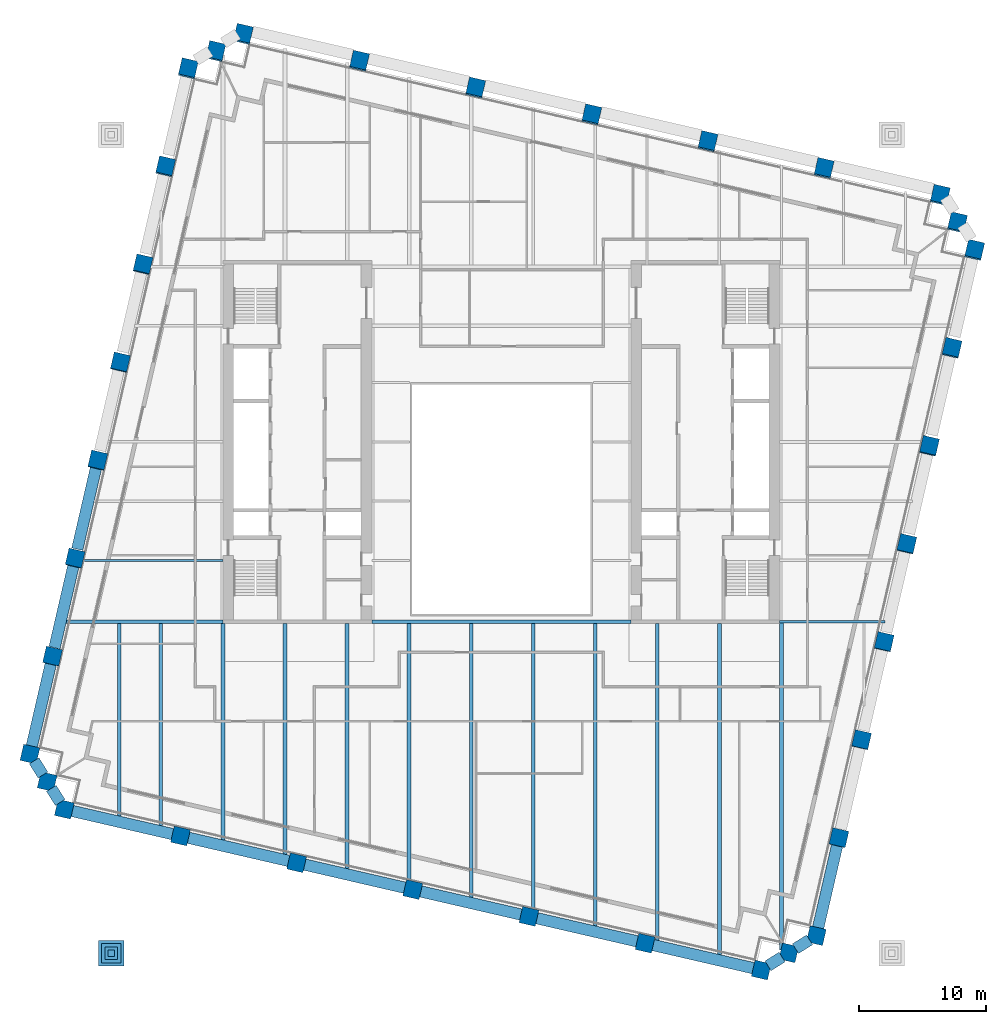
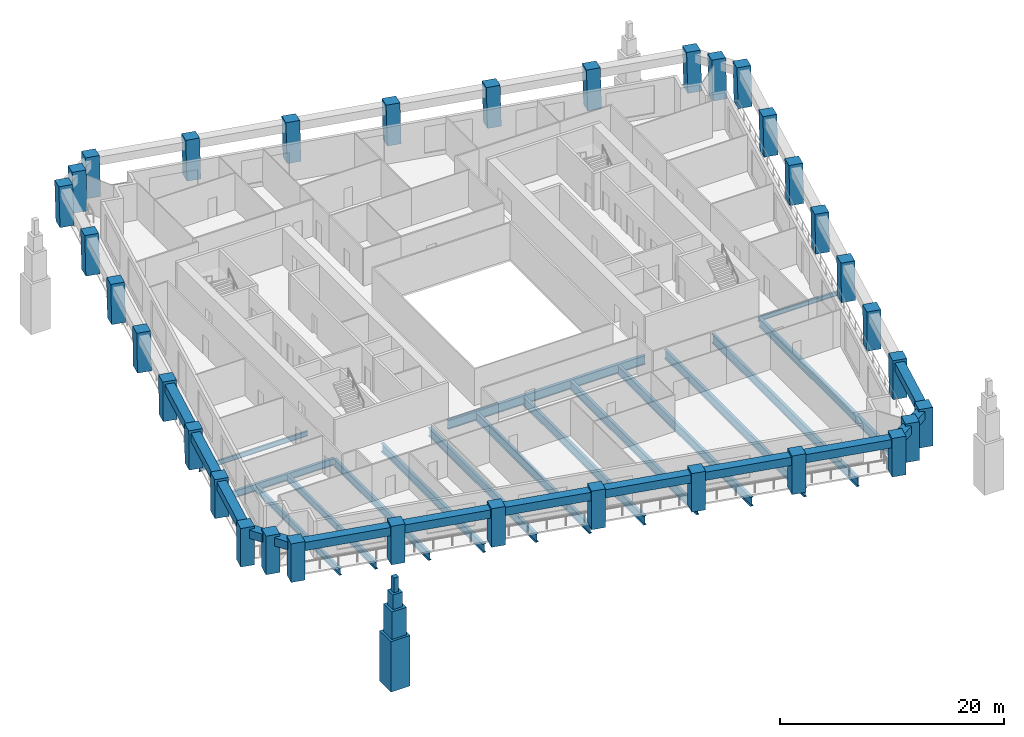
# One storey, part 1 of 10: 34 columns, 30 beams, 4 members.
"""IFC4 building model written with IfcOpenShell, lengths in metres."""

from ifc_helpers import new_model, si_unit, direction, frame, origin, origin_2d, place, context, subcontext, project, spatial, rectangle, i_section, extrude, material, material_profile, profile_set, type_object, element, save


model = new_model("IFC4")

# Units and contexts
model_context = context("Model", 3, precision=1e-05, world=origin(), true_north=direction((0.0, 1.0)))
body_context = subcontext(model_context, "Body", "Model", "MODEL_VIEW")
ifc_project = project(units=[si_unit("LENGTHUNIT", "METRE"), si_unit("AREAUNIT", "SQUARE_METRE"), si_unit("VOLUMEUNIT", "CUBIC_METRE"), si_unit("PLANEANGLEUNIT", "RADIAN"), si_unit("MASSUNIT", "GRAM", prefix="KILO")], contexts=[model_context])

# Site, building, storey
site_placement = place(None, origin())
site = spatial("IfcSite", under=ifc_project, at=site_placement, CompositionType="ELEMENT")
building_placement = place(site_placement, origin())
building = spatial("IfcBuilding", under=site, at=building_placement, Name="Ogive Exchange Tower", CompositionType="ELEMENT")
storey_placement = place(building_placement, frame((0.0, 0.0, 105.60009765625)))
storey = spatial("IfcBuildingStorey", under=building, at=storey_placement, Name="L22", CompositionType="ELEMENT", Elevation=105.60009765625)

# Columns
ifc_material_1 = material(Name="Precast concrete C70/85 (limestone faced)", Category="masonry")
ifc_material_profile_1 = material_profile(ifc_material_1, rectangle(XDim=1.300048828125, YDim=1.300048828125, at=origin_2d()), Name="1300 x 1300")
ifc_profile_set_1 = profile_set([ifc_material_profile_1], Name="Precast concrete C70/85 (limestone faced)")
column_type = type_object("IfcColumnType", Name="Precast exoskeleton leg 1300 x 1300 C70/85", PredefinedType="COLUMN", material=ifc_profile_set_1)
for number, where, z_axis, x_axis, name in (
    (1, (-34.281982421875, -17.298095703125, 0.0), (0.0, 0.0, 1.0), (0.974370064785, -0.224951054344, 0.0), "Exoskeleton leg 1"),
    (2, (-25.171630859375, -19.401611328125, 0.0), (0.0, 0.0, 1.0), (0.974370064785, -0.224951054344, 0.0), "Exoskeleton leg 2"),
    (3, (-16.061279296875, -21.504638671875, 0.0), (0.0, 0.0, 1.0), (0.974370064785, -0.224951054344, 0.0), "Exoskeleton leg 3"),
    (4, (-6.950927734375, -23.60791015625, 0.0), (0.0, 0.0, 1.0), (0.974370064785, -0.224951054344, 0.0), "Exoskeleton leg 4"),
    (5, (2.159423828125, -25.711181640625, 0.0), (0.0, 0.0, 1.0), (0.974370064785, -0.224951054344, 0.0), "Exoskeleton leg 5"),
    (6, (11.269775390625, -27.814697265625, 0.0), (0.0, 0.0, 1.0), (0.974370064785, -0.224951054344, 0.0), "Exoskeleton leg 6"),
    (7, (20.380126953125, -29.91796875, 0.0), (0.0, 0.0, 1.0), (0.974370064785, -0.224951054344, 0.0), "Exoskeleton leg 7"),
    (8, (24.697509765625, -27.219970703125, 0.0), (0.0, 0.0, 1.0), (0.974370064785, -0.224951054344, 0.0), "Exoskeleton leg 8"),
):
    element("IfcColumn", number, at=place(storey_placement, frame(where, z_axis=z_axis, x_axis=x_axis)), inside=storey, type_object=column_type, Name=name, PredefinedType="COLUMN", context=body_context, shape_type="SweptSolid", body=[
        extrude(rectangle(XDim=1.300048828125, YDim=1.300048828125, at=origin_2d()), origin(), (0.0, 0.0, 1.0), 4.199951171875),
    ])
column_1_placement = place(storey_placement, frame((26.4697265625, -19.5439453125, 0.0), z_axis=(0.002964348167, 0.012671135303, 0.9999153239), x_axis=(-0.973709261374, 0.227794368487, 0.0)))
element("IfcColumn", 9, at=column_1_placement, inside=storey, type_object=column_type, Name="Exoskeleton leg 9", PredefinedType="COLUMN", context=body_context, shape_type="SweptSolid", body=[
    extrude(rectangle(XDim=1.300048828125, YDim=1.300048828125, at=origin_2d()), origin(), (0.0, 0.0, 1.0), 4.2001953125),
])
column_2_placement = place(storey_placement, frame((28.241943359375, -11.867919921875, 0.0), z_axis=(0.005869091843, 0.025277771797, 0.999663237302), x_axis=(-0.974088391429, 0.226167649504, 0.0)))
element("IfcColumn", 10, at=column_2_placement, inside=storey, type_object=column_type, Name="Exoskeleton leg 10", PredefinedType="COLUMN", context=body_context, shape_type="SweptSolid", body=[
    extrude(rectangle(XDim=1.300048828125, YDim=1.300048828125, at=origin_2d()), origin(), (0.0, 0.0, 1.0), 4.201416015625),
])
column_3_placement = place(storey_placement, frame((30.01416015625, -4.19189453125, 0.0), z_axis=(0.00871280379, 0.037929739166, 0.999242424008), x_axis=(-0.974617095667, 0.223878352757, 0.0)))
element("IfcColumn", 11, at=column_3_placement, inside=storey, type_object=column_type, Name="Exoskeleton leg 11", PredefinedType="COLUMN", context=body_context, shape_type="SweptSolid", body=[
    extrude(rectangle(XDim=1.300048828125, YDim=1.300048828125, at=origin_2d()), origin(), (0.0, 0.0, 1.0), 4.203125),
])
column_4_placement = place(storey_placement, frame((31.7861328125, 3.48388671875, 0.0), z_axis=(0.011668267153, 0.050562490995, 0.998652735462), x_axis=(-0.974391195695, 0.224859506699, 0.0)))
element("IfcColumn", 12, at=column_4_placement, inside=storey, type_object=column_type, Name="Exoskeleton leg 12", PredefinedType="COLUMN", context=body_context, shape_type="SweptSolid", body=[
    extrude(rectangle(XDim=1.300048828125, YDim=1.300048828125, at=origin_2d()), origin(), (0.0, 0.0, 1.0), 4.20556640625),
])
column_5_placement = place(storey_placement, frame((33.558349609375, 11.16015625, 0.0), z_axis=(0.014559841898, 0.063111984005, 0.997900239743), x_axis=(-0.97440628778, 0.224794097641, 0.0)))
element("IfcColumn", 13, at=column_5_placement, inside=storey, type_object=column_type, Name="Exoskeleton leg 13", PredefinedType="COLUMN", context=body_context, shape_type="SweptSolid", body=[
    extrude(rectangle(XDim=1.300048828125, YDim=1.300048828125, at=origin_2d()), origin(), (0.0, 0.0, 1.0), 4.208740234375),
])
column_6_placement = place(storey_placement, frame((35.33056640625, 18.836181640625, 0.0), z_axis=(0.01750210236, 0.075629945629, 0.996982340735), x_axis=(-0.974252605085, 0.225459223552, 0.0)))
element("IfcColumn", 14, at=column_6_placement, inside=storey, type_object=column_type, Name="Exoskeleton leg 14", PredefinedType="COLUMN", context=body_context, shape_type="SweptSolid", body=[
    extrude(rectangle(XDim=1.300048828125, YDim=1.300048828125, at=origin_2d()), origin(), (0.0, 0.0, 1.0), 4.212646484375),
])
for number, where, z_axis, x_axis, name in (
    (15, (37.102783203125, 26.51220703125, 0.0), (0.020377597275, 0.088167842757, 0.995897175934), (-0.97431566651, 0.225186549318, 0.0), "Exoskeleton leg 15"),
    (16, (34.40478515625, 30.82958984375, 0.0), (0.020377493232, 0.0882252832, 0.995892091129), (-0.97434807649, 0.225046274885, 0.0), "Exoskeleton leg 16"),
    (17, (25.29443359375, 32.932861328125, 0.0), (0.020377493232, 0.0882252832, 0.995892091129), (-0.97434807649, 0.225046274885, 0.0), "Exoskeleton leg 17"),
    (18, (16.18408203125, 35.0361328125, 0.0), (0.020377493232, 0.0882252832, 0.995892091129), (-0.97434807649, 0.225046274885, 0.0), "Exoskeleton leg 18"),
    (19, (7.07373046875, 37.139404296875, 0.0), (0.020377493232, 0.0882252832, 0.995892091129), (-0.97434807649, 0.225046274885, 0.0), "Exoskeleton leg 19"),
    (20, (-2.03662109375, 39.242919921875, 0.0), (0.020377597275, 0.088167842757, 0.995897175934), (-0.97431566651, 0.225186549318, 0.0), "Exoskeleton leg 20"),
    (21, (-11.14697265625, 41.34619140625, 0.0), (0.020377597275, 0.088167842757, 0.995897175934), (-0.97431566651, 0.225186549318, 0.0), "Exoskeleton leg 21"),
    (22, (-20.25732421875, 43.449462890625, 0.0), (0.020377597275, 0.088167842757, 0.995897175934), (-0.97431566651, 0.225186549318, 0.0), "Exoskeleton leg 22"),
    (23, (-24.574951171875, 40.75146484375, 0.0), (0.020377493232, 0.0882252832, 0.995892091129), (-0.97434807649, 0.225046274885, 0.0), "Exoskeleton leg 23"),
):
    element("IfcColumn", number, at=place(storey_placement, frame(where, z_axis=z_axis, x_axis=x_axis)), inside=storey, type_object=column_type, Name=name, PredefinedType="COLUMN", context=body_context, shape_type="SweptSolid", body=[
        extrude(rectangle(XDim=1.300048828125, YDim=1.300048828125, at=origin_2d()), origin(), (0.0, 0.0, 1.0), 4.21728515625),
    ])
column_7_placement = place(storey_placement, frame((-26.34716796875, 33.075439453125, 0.0), z_axis=(0.017502025619, 0.075687567741, 0.996977969259), x_axis=(-0.974290512438, 0.225295355862, 0.0)))
element("IfcColumn", 24, at=column_7_placement, inside=storey, type_object=column_type, Name="Exoskeleton leg 24", PredefinedType="COLUMN", context=body_context, shape_type="SweptSolid", body=[
    extrude(rectangle(XDim=1.300048828125, YDim=1.300048828125, at=origin_2d()), origin(), (0.0, 0.0, 1.0), 4.212646484375),
])
column_8_placement = place(storey_placement, frame((-28.119140625, 25.3994140625, 0.0), z_axis=(0.014559788571, 0.063169759976, 0.997896584813), x_axis=(-0.97445148511, 0.224598092528, 0.0)))
element("IfcColumn", 25, at=column_8_placement, inside=storey, type_object=column_type, Name="Exoskeleton leg 25", PredefinedType="COLUMN", context=body_context, shape_type="SweptSolid", body=[
    extrude(rectangle(XDim=1.300048828125, YDim=1.300048828125, at=origin_2d()), origin(), (0.0, 0.0, 1.0), 4.208740234375),
])
column_9_placement = place(storey_placement, frame((-29.891357421875, 17.723388671875, 0.0), z_axis=(0.011668267153, 0.050562490995, 0.998652735462), x_axis=(-0.974391195695, 0.224859506699, 0.0)))
element("IfcColumn", 26, at=column_9_placement, inside=storey, type_object=column_type, Name="Exoskeleton leg 26", PredefinedType="COLUMN", context=body_context, shape_type="SweptSolid", body=[
    extrude(rectangle(XDim=1.300048828125, YDim=1.300048828125, at=origin_2d()), origin(), (0.0, 0.0, 1.0), 4.20556640625),
])
column_10_placement = place(storey_placement, frame((-31.66357421875, 10.04736328125, 0.0), z_axis=(0.008770884695, 0.037929719907, 0.99924191662), x_axis=(-0.974290512438, 0.225295355862, 0.0)))
element("IfcColumn", 27, at=column_10_placement, inside=storey, type_object=column_type, Name="Exoskeleton leg 27", PredefinedType="COLUMN", context=body_context, shape_type="SweptSolid", body=[
    extrude(rectangle(XDim=1.300048828125, YDim=1.300048828125, at=origin_2d()), origin(), (0.0, 0.0, 1.0), 4.203125),
])
column_11_placement = place(storey_placement, frame((-33.435791015625, 2.371337890625, 0.0), z_axis=(0.005869083212, 0.025335844359, 0.999661767226), x_axis=(-0.974202561131, 0.225675363932, 0.0)))
element("IfcColumn", 28, at=column_11_placement, inside=storey, type_object=column_type, Name="Exoskeleton leg 28", PredefinedType="COLUMN", context=body_context, shape_type="SweptSolid", body=[
    extrude(rectangle(XDim=1.300048828125, YDim=1.300048828125, at=origin_2d()), origin(), (0.0, 0.0, 1.0), 4.201416015625),
])
column_12_placement = place(storey_placement, frame((-35.207763671875, -5.3046875, 0.0), z_axis=(0.002906224189, 0.012671137464, 0.999915494498), x_axis=(-0.974691740237, 0.22355315143, 0.0)))
element("IfcColumn", 29, at=column_12_placement, inside=storey, type_object=column_type, Name="Exoskeleton leg 29", PredefinedType="COLUMN", context=body_context, shape_type="SweptSolid", body=[
    extrude(rectangle(XDim=1.300048828125, YDim=1.300048828125, at=origin_2d()), origin(), (0.0, 0.0, 1.0), 4.2001953125),
])
for number, where, z_axis, x_axis, name in (
    (30, (-36.97998046875, -12.980712890625, 0.0), (0.0, 0.0, 1.0), (0.974370064785, -0.224951054344, 0.0), "Exoskeleton leg 30"),
    (31, (22.538818359375, -28.569091796875, 0.0), (0.0, 0.0, 1.0), (0.974370064785, -0.224951054344, 0.0), "Exoskeleton leg 31"),
):
    element("IfcColumn", number, at=place(storey_placement, frame(where, z_axis=z_axis, x_axis=x_axis)), inside=storey, type_object=column_type, Name=name, PredefinedType="COLUMN", context=body_context, shape_type="SweptSolid", body=[
        extrude(rectangle(XDim=1.300048828125, YDim=1.300048828125, at=origin_2d()), origin(), (0.0, 0.0, 1.0), 4.199951171875),
    ])
for number, where, z_axis, x_axis, name in (
    (32, (35.753662109375, 28.6708984375, 0.0), (0.020377493232, 0.0882252832, 0.995892091129), (-0.97434807649, 0.225046274885, 0.0), "Exoskeleton leg 32"),
    (33, (-22.416259765625, 42.100341796875, 0.0), (0.020377493232, 0.0882252832, 0.995892091129), (-0.97434807649, 0.225046274885, 0.0), "Exoskeleton leg 33"),
):
    element("IfcColumn", number, at=place(storey_placement, frame(where, z_axis=z_axis, x_axis=x_axis)), inside=storey, type_object=column_type, Name=name, PredefinedType="COLUMN", context=body_context, shape_type="SweptSolid", body=[
        extrude(rectangle(XDim=1.300048828125, YDim=1.300048828125, at=origin_2d()), origin(), (0.0, 0.0, 1.0), 4.21728515625),
    ])
column_13_placement = place(storey_placement, frame((-35.631103515625, -15.139404296875, 0.0), z_axis=(0.0, 0.0, 1.0), x_axis=(0.974370064785, -0.224951054344, 0.0)))
element("IfcColumn", 34, at=column_13_placement, inside=storey, type_object=column_type, Name="Exoskeleton leg 34", PredefinedType="COLUMN", context=body_context, shape_type="SweptSolid", body=[
    extrude(rectangle(XDim=1.300048828125, YDim=1.300048828125, at=origin_2d()), origin(), (0.0, 0.0, 1.0), 4.199951171875),
])

# Beams
ifc_material_2 = material(Name="Steel ASTM A992 Gr50", Category="steel")
ifc_material_profile_2 = material_profile(ifc_material_2, i_section(OverallWidth=0.300048828125, OverallDepth=0.969970703125, WebThickness=0.01611328125, FlangeThickness=0.02099609375, at=origin_2d()), Name="W1000x222")
ifc_profile_set_2 = profile_set([ifc_material_profile_2], Name="Steel ASTM A992 Gr50")
beam_type_1 = type_object("IfcBeamType", Name="Floor beam W1000x222", PredefinedType="JOIST", material=ifc_profile_set_2)
beam_1_placement = place(storey_placement, frame((-7.239013671875, -23.07958984375, -0.68505859375), z_axis=(0.0, 1.0, 0.0), x_axis=(-1.0, 0.0, 0.0)))
element("IfcBeam", 35, at=beam_1_placement, inside=storey, type_object=beam_type_1, Name="Floor beam", PredefinedType="JOIST", context=body_context, shape_type="SweptSolid", body=[
    extrude(i_section(OverallWidth=0.300048828125, OverallDepth=0.969970703125, WebThickness=0.01611328125, FlangeThickness=0.02099609375, at=origin_2d()), origin(), (0.0, 0.0, 1.0), 20.33447265625),
])
ifc_material_profile_3 = material_profile(ifc_material_2, i_section(OverallWidth=0.300048828125, OverallDepth=0.97998046875, WebThickness=0.0166015625, FlangeThickness=0.026123046875, at=origin_2d()), Name="W1000x249")
ifc_profile_set_3 = profile_set([ifc_material_profile_3], Name="Steel ASTM A992 Gr50")
beam_type_2 = type_object("IfcBeamType", Name="Floor beam W1000x249", PredefinedType="JOIST", material=ifc_profile_set_3)
beam_2_placement = place(storey_placement, frame((-2.3720703125, -24.353271484375, -0.690185546875), z_axis=(0.0, 1.0, 0.0), x_axis=(-1.0, 0.0, 0.0)))
element("IfcBeam", 36, at=beam_2_placement, inside=storey, type_object=beam_type_2, Name="Floor beam", PredefinedType="JOIST", context=body_context, shape_type="SweptSolid", body=[
    extrude(i_section(OverallWidth=0.300048828125, OverallDepth=0.97998046875, WebThickness=0.0166015625, FlangeThickness=0.026123046875, at=origin_2d()), origin(), (0.0, 0.0, 1.0), 21.608154296875),
])
beam_3_placement = place(storey_placement, frame((2.494873046875, -25.326904296875, -0.690185546875), z_axis=(0.0, 1.0, 0.0), x_axis=(-1.0, 0.0, 0.0)))
element("IfcBeam", 37, at=beam_3_placement, inside=storey, type_object=beam_type_2, Name="Floor beam", PredefinedType="JOIST", context=body_context, shape_type="SweptSolid", body=[
    extrude(i_section(OverallWidth=0.300048828125, OverallDepth=0.97998046875, WebThickness=0.0166015625, FlangeThickness=0.026123046875, at=origin_2d()), origin(), (0.0, 0.0, 1.0), 22.581787109375),
])
beam_4_placement = place(storey_placement, frame((7.36181640625, -26.6005859375, -0.690185546875), z_axis=(0.0, 1.0, 0.0), x_axis=(-1.0, 0.0, 0.0)))
element("IfcBeam", 38, at=beam_4_placement, inside=storey, type_object=beam_type_2, Name="Floor beam", PredefinedType="JOIST", context=body_context, shape_type="SweptSolid", body=[
    extrude(i_section(OverallWidth=0.300048828125, OverallDepth=0.97998046875, WebThickness=0.0166015625, FlangeThickness=0.026123046875, at=origin_2d()), origin(), (0.0, 0.0, 1.0), 23.85546875),
])
beam_5_placement = place(storey_placement, frame((12.228515625, -27.72412109375, -0.690185546875), z_axis=(0.0, 1.0, 0.0), x_axis=(-1.0, 0.0, 0.0)))
element("IfcBeam", 39, at=beam_5_placement, inside=storey, type_object=beam_type_2, Name="Floor beam", PredefinedType="JOIST", context=body_context, shape_type="SweptSolid", body=[
    extrude(i_section(OverallWidth=0.300048828125, OverallDepth=0.97998046875, WebThickness=0.0166015625, FlangeThickness=0.026123046875, at=origin_2d()), origin(), (0.0, 0.0, 1.0), 24.97412109375),
])
beam_6_placement = place(storey_placement, frame((17.095458984375, -28.69775390625, -0.690185546875), z_axis=(0.0, 1.0, 0.0), x_axis=(-1.0, 0.0, 0.0)))
element("IfcBeam", 40, at=beam_6_placement, inside=storey, type_object=beam_type_2, Name="Floor beam", PredefinedType="JOIST", context=body_context, shape_type="SweptSolid", body=[
    extrude(i_section(OverallWidth=0.300048828125, OverallDepth=0.97998046875, WebThickness=0.0166015625, FlangeThickness=0.026123046875, at=origin_2d()), origin(), (0.0, 0.0, 1.0), 25.94775390625),
])
beam_7_placement = place(storey_placement, frame((21.96240234375, -28.326904296875, -0.690185546875), z_axis=(0.0, 1.0, 0.0), x_axis=(-1.0, 0.0, 0.0)))
element("IfcBeam", 41, at=beam_7_placement, inside=storey, type_object=beam_type_2, Name="Floor beam", PredefinedType="JOIST", context=body_context, shape_type="SweptSolid", body=[
    extrude(i_section(OverallWidth=0.300048828125, OverallDepth=0.97998046875, WebThickness=0.0166015625, FlangeThickness=0.026123046875, at=origin_2d()), origin(), (0.0, 0.0, 1.0), 25.635986328125),
])
ifc_material_profile_4 = material_profile(ifc_material_2, i_section(OverallWidth=0.1669921875, OverallDepth=0.535888671875, WebThickness=0.01025390625, FlangeThickness=0.0166015625, at=origin_2d()), Name="W530x85")
ifc_profile_set_4 = profile_set([ifc_material_profile_4], Name="Steel ASTM A992 Gr50")
beam_type_3 = type_object("IfcBeamType", Name="Floor beam W530x85", PredefinedType="JOIST", material=ifc_profile_set_4)
beam_8_placement = place(storey_placement, frame((-33.011474609375, 2.208740234375, -0.468017578125), z_axis=(1.0, 0.0, 0.0), x_axis=(0.0, 1.0, 0.0)))
element("IfcBeam", 42, at=beam_8_placement, inside=storey, type_object=beam_type_3, Name="Floor beam", PredefinedType="JOIST", context=body_context, shape_type="SweptSolid", body=[
    extrude(i_section(OverallWidth=0.1669921875, OverallDepth=0.535888671875, WebThickness=0.01025390625, FlangeThickness=0.0166015625, at=origin_2d()), origin(), (0.0, 0.0, 1.0), 11.181396484375),
])
ifc_material_profile_5 = material_profile(ifc_material_2, i_section(OverallWidth=0.26708984375, OverallDepth=0.75390625, WebThickness=0.01318359375, FlangeThickness=0.01708984375, at=origin_2d()), Name="W760x147")
ifc_profile_set_5 = profile_set([ifc_material_profile_5], Name="Steel ASTM A992 Gr50")
beam_type_4 = type_object("IfcBeamType", Name="Floor beam W760x147", PredefinedType="JOIST", material=ifc_profile_set_5)
beam_9_placement = place(storey_placement, frame((-29.973388671875, -17.8310546875, -0.5771484375), z_axis=(0.0, 1.0, 0.0), x_axis=(-1.0, 0.0, 0.0)))
element("IfcBeam", 43, at=beam_9_placement, inside=storey, type_object=beam_type_4, Name="Floor beam", PredefinedType="JOIST", context=body_context, shape_type="SweptSolid", body=[
    extrude(i_section(OverallWidth=0.26708984375, OverallDepth=0.75390625, WebThickness=0.01318359375, FlangeThickness=0.01708984375, at=origin_2d()), origin(), (0.0, 0.0, 1.0), 15.1025390625),
])
ifc_material_profile_6 = material_profile(ifc_material_2, i_section(OverallWidth=0.26708984375, OverallDepth=0.761962890625, WebThickness=0.014404296875, FlangeThickness=0.021484375, at=origin_2d()), Name="W760x173")
ifc_profile_set_6 = profile_set([ifc_material_profile_6], Name="Steel ASTM A992 Gr50")
beam_type_5 = type_object("IfcBeamType", Name="Floor beam W760x173", PredefinedType="JOIST", material=ifc_profile_set_6)
beam_10_placement = place(storey_placement, frame((-26.70654296875, -18.585205078125, -0.5810546875), z_axis=(0.0, 1.0, 0.0), x_axis=(-1.0, 0.0, 0.0)))
element("IfcBeam", 44, at=beam_10_placement, inside=storey, type_object=beam_type_5, Name="Floor beam", PredefinedType="JOIST", context=body_context, shape_type="SweptSolid", body=[
    extrude(i_section(OverallWidth=0.26708984375, OverallDepth=0.761962890625, WebThickness=0.014404296875, FlangeThickness=0.021484375, at=origin_2d()), origin(), (0.0, 0.0, 1.0), 15.856689453125),
])
ifc_material_profile_7 = material_profile(ifc_material_2, i_section(OverallWidth=0.2919921875, OverallDepth=0.8359375, WebThickness=0.013916015625, FlangeThickness=0.018798828125, at=origin_2d()), Name="W840x176")
ifc_profile_set_7 = profile_set([ifc_material_profile_7], Name="Steel ASTM A992 Gr50")
beam_type_6 = type_object("IfcBeamType", Name="Floor beam W840x176", PredefinedType="JOIST", material=ifc_profile_set_7)
beam_11_placement = place(storey_placement, frame((-21.839599609375, -19.708984375, -0.6181640625), z_axis=(0.0, 1.0, 0.0), x_axis=(-1.0, 0.0, 0.0)))
element("IfcBeam", 45, at=beam_11_placement, inside=storey, type_object=beam_type_6, Name="Floor beam", PredefinedType="JOIST", context=body_context, shape_type="SweptSolid", body=[
    extrude(i_section(OverallWidth=0.2919921875, OverallDepth=0.8359375, WebThickness=0.013916015625, FlangeThickness=0.018798828125, at=origin_2d()), origin(), (0.0, 0.0, 1.0), 16.98046875),
])
ifc_material_profile_8 = material_profile(ifc_material_2, i_section(OverallWidth=0.304931640625, OverallDepth=0.904052734375, WebThickness=0.01513671875, FlangeThickness=0.02001953125, at=origin_2d()), Name="W920x201")
ifc_profile_set_8 = profile_set([ifc_material_profile_8], Name="Steel ASTM A992 Gr50")
beam_type_7 = type_object("IfcBeamType", Name="Floor beam W920x201", PredefinedType="JOIST", material=ifc_profile_set_8)
beam_12_placement = place(storey_placement, frame((-16.97265625, -20.982421875, -0.652099609375), z_axis=(0.0, 1.0, 0.0), x_axis=(-1.0, 0.0, 0.0)))
element("IfcBeam", 46, at=beam_12_placement, inside=storey, type_object=beam_type_7, Name="Floor beam", PredefinedType="JOIST", context=body_context, shape_type="SweptSolid", body=[
    extrude(i_section(OverallWidth=0.304931640625, OverallDepth=0.904052734375, WebThickness=0.01513671875, FlangeThickness=0.02001953125, at=origin_2d()), origin(), (0.0, 0.0, 1.0), 18.232421875),
])
ifc_material_profile_9 = material_profile(ifc_material_2, i_section(OverallWidth=0.304931640625, OverallDepth=0.9189453125, WebThickness=0.017333984375, FlangeThickness=0.02783203125, at=origin_2d()), Name="W920x253")
ifc_profile_set_9 = profile_set([ifc_material_profile_9], Name="Steel ASTM A992 Gr50")
beam_type_8 = type_object("IfcBeamType", Name="Floor beam W920x253", PredefinedType="JOIST", material=ifc_profile_set_9)
beam_13_placement = place(storey_placement, frame((-12.10595703125, -21.9560546875, -0.65966796875), z_axis=(0.0, 1.0, 0.0), x_axis=(-1.0, 0.0, 0.0)))
element("IfcBeam", 47, at=beam_13_placement, inside=storey, type_object=beam_type_8, Name="Floor beam", PredefinedType="JOIST", context=body_context, shape_type="SweptSolid", body=[
    extrude(i_section(OverallWidth=0.304931640625, OverallDepth=0.9189453125, WebThickness=0.017333984375, FlangeThickness=0.02783203125, at=origin_2d()), origin(), (0.0, 0.0, 1.0), 19.2060546875),
])
ifc_material_profile_10 = material_profile(ifc_material_2, i_section(OverallWidth=0.300048828125, OverallDepth=0.97998046875, WebThickness=0.0166015625, FlangeThickness=0.026123046875, at=origin_2d()), Name="W1000x249")
ifc_profile_set_10 = profile_set([ifc_material_profile_10], Name="Steel ASTM A992 Gr50")
beam_type_9 = type_object("IfcBeamType", Name="Girder W1000x249", PredefinedType="BEAM", material=ifc_profile_set_10)
beam_14_placement = place(storey_placement, frame((-10.169921875, -2.594970703125, -0.690185546875), z_axis=(1.0, 0.0, 0.0), x_axis=(0.0, 1.0, 0.0)))
element("IfcBeam", 48, at=beam_14_placement, inside=storey, type_object=beam_type_9, Name="Header girder", PredefinedType="BEAM", context=body_context, shape_type="SweptSolid", body=[
    extrude(i_section(OverallWidth=0.300048828125, OverallDepth=0.97998046875, WebThickness=0.0166015625, FlangeThickness=0.026123046875, at=origin_2d()), origin(), (0.0, 0.0, 1.0), 20.33984375),
])
ifc_material_profile_11 = material_profile(ifc_material_2, i_section(OverallWidth=0.19189453125, OverallDepth=0.4619140625, WebThickness=0.010498046875, FlangeThickness=0.017578125, at=origin_2d()), Name="W460x89")
ifc_profile_set_11 = profile_set([ifc_material_profile_11], Name="Steel ASTM A992 Gr50")
beam_type_10 = type_object("IfcBeamType", Name="Girder W460x89", PredefinedType="BEAM", material=ifc_profile_set_11)
beam_15_placement = place(storey_placement, frame((21.830078125, -2.594970703125, -0.43115234375), z_axis=(1.0, 0.0, 0.0), x_axis=(0.0, 1.0, 0.0)))
element("IfcBeam", 49, at=beam_15_placement, inside=storey, type_object=beam_type_10, Name="Header girder", PredefinedType="BEAM", context=body_context, shape_type="SweptSolid", body=[
    extrude(i_section(OverallWidth=0.19189453125, OverallDepth=0.4619140625, WebThickness=0.010498046875, FlangeThickness=0.017578125, at=origin_2d()), origin(), (0.0, 0.0, 1.0), 8.24072265625),
])
ifc_material_profile_12 = material_profile(ifc_material_2, i_section(OverallWidth=0.26708984375, OverallDepth=0.75390625, WebThickness=0.01318359375, FlangeThickness=0.01708984375, at=origin_2d()), Name="W760x147")
ifc_profile_set_12 = profile_set([ifc_material_profile_12], Name="Steel ASTM A992 Gr50")
beam_type_11 = type_object("IfcBeamType", Name="Girder W760x147", PredefinedType="BEAM", material=ifc_profile_set_12)
beam_16_placement = place(storey_placement, frame((-34.2705078125, -2.594970703125, -0.5771484375), z_axis=(1.0, 0.0, 0.0), x_axis=(0.0, 1.0, 0.0)))
element("IfcBeam", 50, at=beam_16_placement, inside=storey, type_object=beam_type_11, Name="Header girder", PredefinedType="BEAM", context=body_context, shape_type="SweptSolid", body=[
    extrude(i_section(OverallWidth=0.26708984375, OverallDepth=0.75390625, WebThickness=0.01318359375, FlangeThickness=0.01708984375, at=origin_2d()), origin(), (0.0, 0.0, 1.0), 12.4404296875),
])

# Members
ifc_material_3 = material(Name="Precast concrete C50/60", Category="concrete")
ifc_material_profile_13 = material_profile(ifc_material_3, rectangle(XDim=2.0, YDim=2.0, at=origin_2d()), Name="PINNACLE 1 2000 x 2000")
ifc_profile_set_13 = profile_set([ifc_material_profile_13], Name="Precast concrete C50/60")
member_type_1 = type_object("IfcMemberType", Name="Precast pinnacle stage 1 2000 x 2000 C50/60", PredefinedType="USERDEFINED", material=ifc_profile_set_13)
member_1_placement = place(storey_placement, frame((-30.60009765625, -28.60009765625, -6.0), z_axis=(0.0, 0.0, 1.0), x_axis=(1.0, 0.0, 0.0)))
element("IfcMember", 51, at=member_1_placement, inside=storey, type_object=member_type_1, Name="Head pinnacle 1-4", ObjectType="PINNACLE", PredefinedType="USERDEFINED", context=body_context, shape_type="SweptSolid", body=[
    extrude(rectangle(XDim=2.0, YDim=2.0, at=origin_2d()), origin(), (0.0, 0.0, 1.0), 5.5),
])
ifc_material_profile_14 = material_profile(ifc_material_3, rectangle(XDim=1.5, YDim=1.5, at=origin_2d()), Name="PINNACLE 2 1500 x 1500")
ifc_profile_set_14 = profile_set([ifc_material_profile_14], Name="Precast concrete C50/60")
member_type_2 = type_object("IfcMemberType", Name="Precast pinnacle stage 2 1500 x 1500 C50/60", PredefinedType="USERDEFINED", material=ifc_profile_set_14)
member_2_placement = place(storey_placement, frame((-30.60009765625, -28.60009765625, -0.5), z_axis=(0.0, 0.0, 1.0), x_axis=(1.0, 0.0, 0.0)))
element("IfcMember", 52, at=member_2_placement, inside=storey, type_object=member_type_2, Name="Head pinnacle 1-4 stage 2", ObjectType="PINNACLE", PredefinedType="USERDEFINED", context=body_context, shape_type="SweptSolid", body=[
    extrude(rectangle(XDim=1.5, YDim=1.5, at=origin_2d()), origin(), (0.0, 0.0, 1.0), 3.0),
])
ifc_material_profile_15 = material_profile(ifc_material_3, rectangle(XDim=1.0, YDim=1.0, at=origin_2d()), Name="PINNACLE 3 1000 x 1000")
ifc_profile_set_15 = profile_set([ifc_material_profile_15], Name="Precast concrete C50/60")
member_type_3 = type_object("IfcMemberType", Name="Precast pinnacle stage 3 1000 x 1000 C50/60", PredefinedType="USERDEFINED", material=ifc_profile_set_15)
member_3_placement = place(storey_placement, frame((-30.60009765625, -28.60009765625, 2.5), z_axis=(0.0, 0.0, 1.0), x_axis=(1.0, 0.0, 0.0)))
element("IfcMember", 53, at=member_3_placement, inside=storey, type_object=member_type_3, Name="Head pinnacle 1-4 stage 3", ObjectType="PINNACLE", PredefinedType="USERDEFINED", context=body_context, shape_type="SweptSolid", body=[
    extrude(rectangle(XDim=1.0, YDim=1.0, at=origin_2d()), origin(), (0.0, 0.0, 1.0), 1.599853515625),
])
ifc_material_profile_16 = material_profile(ifc_material_3, rectangle(XDim=0.5, YDim=0.5, at=origin_2d()), Name="PINNACLE 4 500 x 500")
ifc_profile_set_16 = profile_set([ifc_material_profile_16], Name="Precast concrete C50/60")
member_type_4 = type_object("IfcMemberType", Name="Precast pinnacle stage 4 500 x 500 C50/60", PredefinedType="USERDEFINED", material=ifc_profile_set_16)
member_4_placement = place(storey_placement, frame((-30.60009765625, -28.60009765625, 4.099853515625), z_axis=(0.0, 0.0, 1.0), x_axis=(1.0, 0.0, 0.0)))
element("IfcMember", 54, at=member_4_placement, inside=storey, type_object=member_type_4, Name="Head pinnacle 1-4 stage 4", ObjectType="PINNACLE", PredefinedType="USERDEFINED", context=body_context, shape_type="SweptSolid", body=[
    extrude(rectangle(XDim=0.5, YDim=0.5, at=origin_2d()), origin(), (0.0, 0.0, 1.0), 1.60009765625),
])

# Beams
ifc_material_profile_17 = material_profile(ifc_material_1, rectangle(XDim=0.89990234375, YDim=0.89990234375, at=origin_2d()), Name="900 x 900")
ifc_profile_set_17 = profile_set([ifc_material_profile_17], Name="Precast concrete C70/85 (limestone faced)")
beam_type_12 = type_object("IfcBeamType", Name="Precast spandrel 900 x 900 C70/85", PredefinedType="SPANDREL", material=ifc_profile_set_17)
for number, where, z_axis, x_axis, name in (
    (55, (-33.668212890625, -17.43994140625, 3.5), (0.974370337884, -0.224949871421, 0.0), (0.224949871421, 0.974370337884, 0.0), "Spandrel 1"),
    (56, (-24.557861328125, -19.543212890625, 3.5), (0.974370337884, -0.224949871421, 0.0), (0.224949871421, 0.974370337884, 0.0), "Spandrel 2"),
):
    element("IfcBeam", number, at=place(storey_placement, frame(where, z_axis=z_axis, x_axis=x_axis)), inside=storey, type_object=beam_type_12, Name=name, PredefinedType="SPANDREL", context=body_context, shape_type="SweptSolid", body=[
        extrude(rectangle(XDim=0.89990234375, YDim=0.89990234375, at=origin_2d()), origin(), (0.0, 0.0, 1.0), 8.08984375),
    ])
beam_17_placement = place(storey_placement, frame((-15.447509765625, -21.646484375, 3.5), z_axis=(0.974371864918, -0.224943256972, 0.0), x_axis=(0.224943256972, 0.974371864918, 0.0)))
element("IfcBeam", 57, at=beam_17_placement, inside=storey, type_object=beam_type_12, Name="Spandrel 3", PredefinedType="SPANDREL", context=body_context, shape_type="SweptSolid", body=[
    extrude(rectangle(XDim=0.89990234375, YDim=0.89990234375, at=origin_2d()), origin(), (0.0, 0.0, 1.0), 8.090087890625),
])
beam_18_placement = place(storey_placement, frame((-6.337158203125, -23.749755859375, 3.5), z_axis=(0.974370337884, -0.224949871421, 0.0), x_axis=(0.224949871421, 0.974370337884, 0.0)))
element("IfcBeam", 58, at=beam_18_placement, inside=storey, type_object=beam_type_12, Name="Spandrel 4", PredefinedType="SPANDREL", context=body_context, shape_type="SweptSolid", body=[
    extrude(rectangle(XDim=0.89990234375, YDim=0.89990234375, at=origin_2d()), origin(), (0.0, 0.0, 1.0), 8.08984375),
])
beam_19_placement = place(storey_placement, frame((2.773193359375, -25.85302734375, 3.5), z_axis=(0.974371864918, -0.224943256972, 0.0), x_axis=(0.224943256972, 0.974371864918, 0.0)))
element("IfcBeam", 59, at=beam_19_placement, inside=storey, type_object=beam_type_12, Name="Spandrel 5", PredefinedType="SPANDREL", context=body_context, shape_type="SweptSolid", body=[
    extrude(rectangle(XDim=0.89990234375, YDim=0.89990234375, at=origin_2d()), origin(), (0.0, 0.0, 1.0), 8.090087890625),
])
beam_20_placement = place(storey_placement, frame((11.883544921875, -27.956298828125, 3.5), z_axis=(0.974370337884, -0.224949871421, 0.0), x_axis=(0.224949871421, 0.974370337884, 0.0)))
element("IfcBeam", 60, at=beam_20_placement, inside=storey, type_object=beam_type_12, Name="Spandrel 6", PredefinedType="SPANDREL", context=body_context, shape_type="SweptSolid", body=[
    extrude(rectangle(XDim=0.89990234375, YDim=0.89990234375, at=origin_2d()), origin(), (0.0, 0.0, 1.0), 8.08984375),
])
for number, where, z_axis, x_axis, name in (
    (61, (20.9052734375, -29.58984375, 3.5), (0.848040277303, 0.529931776808, 0.0), (-0.529931776808, 0.848040277303, 0.0), "Spandrel 7"),
    (62, (23.06396484375, -28.24072265625, 3.5), (0.848092721491, 0.529847842077, 0.0), (-0.529847842077, 0.848092721491, 0.0), "Spandrel 8"),
):
    element("IfcBeam", number, at=place(storey_placement, frame(where, z_axis=z_axis, x_axis=x_axis)), inside=storey, type_object=beam_type_12, Name=name, PredefinedType="SPANDREL", context=body_context, shape_type="SweptSolid", body=[
        extrude(rectangle(XDim=0.89990234375, YDim=0.89990234375, at=origin_2d()), origin(), (0.0, 0.0, 1.0), 1.30712890625),
    ])
for number, where, z_axis, x_axis, name in (
    (63, (24.83935546875, -26.606201171875, 3.5), (0.224950362033, 0.974370224617, 0.0), (-0.974370224617, 0.224950362033, 0.0), "Spandrel 9"),
    (64, (-31.768310546875, 9.593017578125, 3.5), (-0.224950362033, -0.974370224617, 0.0), (0.974370224617, -0.224950362033, 0.0), "Spandrel 30"),
):
    element("IfcBeam", number, at=place(storey_placement, frame(where, z_axis=z_axis, x_axis=x_axis)), inside=storey, type_object=beam_type_12, Name=name, PredefinedType="SPANDREL", context=body_context, shape_type="SweptSolid", body=[
        extrude(rectangle(XDim=0.89990234375, YDim=0.89990234375, at=origin_2d()), origin(), (0.0, 0.0, 1.0), 6.67236328125),
    ])
beam_21_placement = place(storey_placement, frame((-33.552978515625, 1.864013671875, 3.5), z_axis=(-0.224907605506, -0.974380094719, 0.0), x_axis=(0.974380094719, -0.224907605506, 0.0)))
element("IfcBeam", 65, at=beam_21_placement, inside=storey, type_object=beam_type_12, Name="Spandrel 31", PredefinedType="SPANDREL", context=body_context, shape_type="SweptSolid", body=[
    extrude(rectangle(XDim=0.89990234375, YDim=0.89990234375, at=origin_2d()), origin(), (0.0, 0.0, 1.0), 6.672607421875),
])
beam_22_placement = place(storey_placement, frame((-35.33740234375, -5.865234375, 3.5), z_axis=(-0.224950362033, -0.974370224617, 0.0), x_axis=(0.974370224617, -0.224950362033, 0.0)))
element("IfcBeam", 66, at=beam_22_placement, inside=storey, type_object=beam_type_12, Name="Spandrel 32", PredefinedType="SPANDREL", context=body_context, shape_type="SweptSolid", body=[
    extrude(rectangle(XDim=0.89990234375, YDim=0.89990234375, at=origin_2d()), origin(), (0.0, 0.0, 1.0), 6.67236328125),
])
for number, where, z_axis, x_axis, name in (
    (67, (-36.65185546875, -13.505615234375, 3.5), (0.529847842077, -0.848092721491, 0.0), (0.848092721491, 0.529847842077, 0.0), "Spandrel 33"),
    (68, (-35.302978515625, -15.66455078125, 3.5), (0.530066093226, -0.847956329543, 0.0), (0.847956329543, 0.530066093226, 0.0), "Spandrel 34"),
):
    element("IfcBeam", number, at=place(storey_placement, frame(where, z_axis=z_axis, x_axis=x_axis)), inside=storey, type_object=beam_type_12, Name=name, PredefinedType="SPANDREL", context=body_context, shape_type="SweptSolid", body=[
        extrude(rectangle(XDim=0.89990234375, YDim=0.89990234375, at=origin_2d()), origin(), (0.0, 0.0, 1.0), 1.30712890625),
    ])

save(model, "model.ifc")
